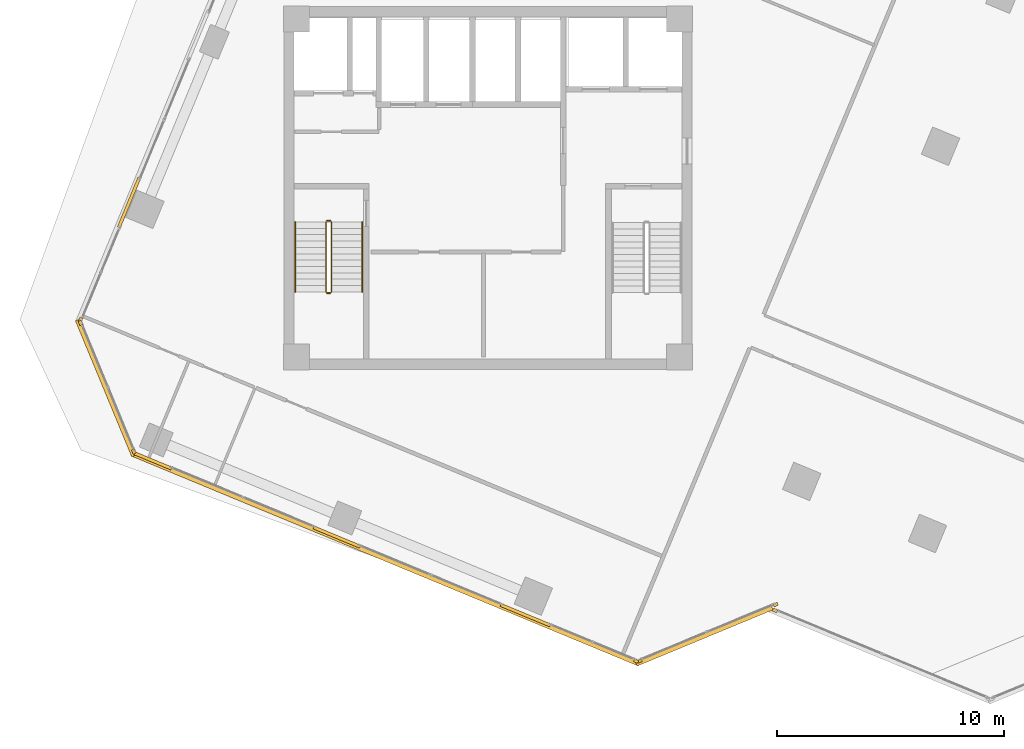
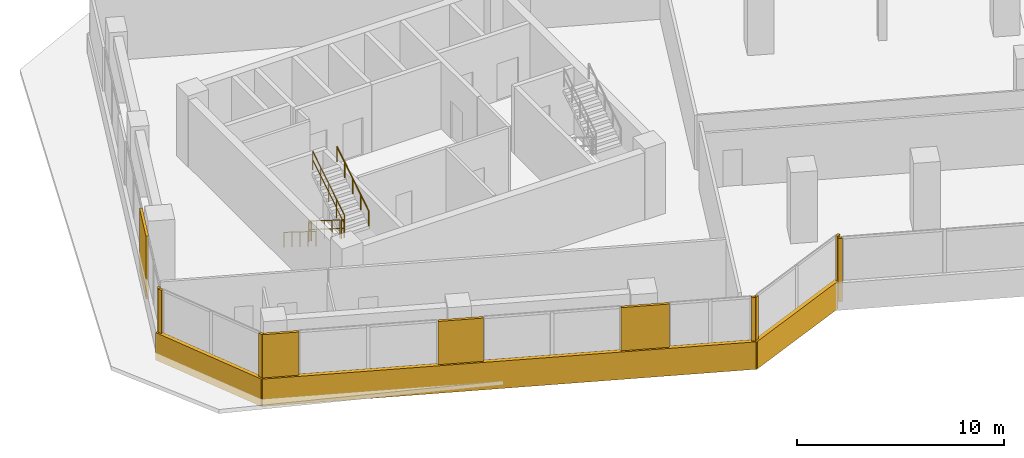
# One storey, part 21 of 24: 14 coverings, 6 railings.
"""IFC4 building model written with IfcOpenShell, lengths in metres."""

from ifc_helpers import new_model, si_unit, direction, frame, origin, origin_2d, place, context, subcontext, project, spatial, rectangle, circle, extrude, source, transform, mapped, material, layer, layer_set, type_object, element, save


model = new_model("IFC4")

# Units and contexts
model_context = context("Model", 3, precision=1e-05, world=origin(), true_north=direction((0.0, 1.0)))
body_context = subcontext(model_context, "Body", "Model", "MODEL_VIEW")
ifc_project = project(units=[si_unit("LENGTHUNIT", "METRE"), si_unit("AREAUNIT", "SQUARE_METRE"), si_unit("VOLUMEUNIT", "CUBIC_METRE"), si_unit("PLANEANGLEUNIT", "RADIAN"), si_unit("MASSUNIT", "GRAM", prefix="KILO")], contexts=[model_context])

# Site, building, storey
site_placement = place(None, origin())
site = spatial("IfcSite", under=ifc_project, at=site_placement, CompositionType="ELEMENT")
building_placement = place(site_placement, origin())
building = spatial("IfcBuilding", under=site, at=building_placement, Name="Torre Montelarca", CompositionType="ELEMENT")
storey_placement = place(building_placement, frame((0.0, 0.0, 141.39990234375)))
storey = spatial("IfcBuildingStorey", under=building, at=storey_placement, Name="L31", CompositionType="ELEMENT", Elevation=141.39990234375)

# Railings
ifc_material_1 = material(Name="Powder-coated steel ASTM A500 Grade C", Category="steel")
railing_type_1 = type_object("IfcRailingType", Name="RL-GUARD-1100", PredefinedType="BALUSTRADE", material=ifc_material_1)
railing_1_placement = place(storey_placement, frame((10.85009765625, 30.5, 0.175048828125)))
element("IfcRailing", 1, at=railing_1_placement, inside=storey, type_object=railing_type_1, Name="L31 ST1 stair guard 1", PredefinedType="BALUSTRADE", context=body_context, shape_type="SweptSolid", body=[
    extrude(circle(Radius=0.02392578125, at=origin_2d()), frame((0.0, 0.0, 1.076171875), z_axis=(0.0, -0.847998304005, 0.529998940003), x_axis=(1.0, 0.0, 0.0)), (0.0, 0.0, 1.0), 3.632080078125),
    extrude(circle(Radius=0.02099609375, at=origin_2d()), frame((0.0, 0.0, 0.572021484375), z_axis=(0.0, -0.847998304005, 0.529998940003), x_axis=(1.0, 0.0, 0.0)), (0.0, 0.0, 1.0), 3.632080078125),
    extrude(circle(Radius=0.02099609375, at=origin_2d()), origin(), (0.0, 0.0, 1.0), 1.052001953125),
    extrude(circle(Radius=0.02099609375, at=origin_2d()), frame((0.0, -0.77001953125, 0.481201171875)), (0.0, 0.0, 1.0), 1.052001953125),
    extrude(circle(Radius=0.02099609375, at=origin_2d()), frame((0.0, -1.5400390625, 0.96240234375)), (0.0, 0.0, 1.0), 1.052001953125),
    extrude(circle(Radius=0.02099609375, at=origin_2d()), frame((0.0, -2.31005859375, 1.44384765625)), (0.0, 0.0, 1.0), 1.052001953125),
    extrude(circle(Radius=0.02099609375, at=origin_2d()), frame((0.0, -3.080078125, 1.925048828125)), (0.0, 0.0, 1.0), 1.052001953125),
])
railing_2_placement = place(storey_placement, frame((10.89990234375, 27.3701171875, 2.10009765625)))
element("IfcRailing", 2, at=railing_2_placement, inside=storey, type_object=railing_type_1, Name="L31 ST1 stair guard 2", PredefinedType="BALUSTRADE", context=body_context, shape_type="SweptSolid", body=[
    extrude(circle(Radius=0.02392578125, at=origin_2d()), frame((0.0, 0.0, 1.076171875), z_axis=(1.0, 0.0, 0.0), x_axis=(0.0, 1.0, 0.0)), (0.0, 0.0, 1.0), 0.150146484375),
    extrude(circle(Radius=0.02099609375, at=origin_2d()), frame((0.0, 0.0, 0.572021484375), z_axis=(1.0, 0.0, 0.0), x_axis=(0.0, 1.0, 0.0)), (0.0, 0.0, 1.0), 0.150146484375),
    extrude(circle(Radius=0.02099609375, at=origin_2d()), origin(), (0.0, 0.0, 1.0), 1.052001953125),
    extrude(circle(Radius=0.02099609375, at=origin_2d()), frame((0.150146484375, 0.0, 0.0)), (0.0, 0.0, 1.0), 1.052001953125),
])
railing_3_placement = place(storey_placement, frame((11.10009765625, 27.419921875, 2.275146484375)))
element("IfcRailing", 3, at=railing_3_placement, inside=storey, type_object=railing_type_1, Name="L31 ST1 stair guard 3", PredefinedType="BALUSTRADE", context=body_context, shape_type="SweptSolid", body=[
    extrude(circle(Radius=0.02392578125, at=origin_2d()), frame((0.0, 0.0, 1.076171875), z_axis=(0.0, 0.847998304005, 0.529998940003), x_axis=(-1.0, 0.0, 0.0)), (0.0, 0.0, 1.0), 3.632080078125),
    extrude(circle(Radius=0.02099609375, at=origin_2d()), frame((0.0, 0.0, 0.572021484375), z_axis=(0.0, 0.847998304005, 0.529998940003), x_axis=(-1.0, 0.0, 0.0)), (0.0, 0.0, 1.0), 3.632080078125),
    extrude(circle(Radius=0.02099609375, at=origin_2d()), origin(), (0.0, 0.0, 1.0), 1.052001953125),
    extrude(circle(Radius=0.02099609375, at=origin_2d()), frame((0.0, 0.77001953125, 0.481201171875)), (0.0, 0.0, 1.0), 1.052001953125),
    extrude(circle(Radius=0.02099609375, at=origin_2d()), frame((0.0, 1.5400390625, 0.96240234375)), (0.0, 0.0, 1.0), 1.052001953125),
    extrude(circle(Radius=0.02099609375, at=origin_2d()), frame((0.0, 2.31005859375, 1.44384765625)), (0.0, 0.0, 1.0), 1.052001953125),
    extrude(circle(Radius=0.02099609375, at=origin_2d()), frame((0.0, 3.080078125, 1.925048828125)), (0.0, 0.0, 1.0), 1.052001953125),
])
railing_4_placement = place(storey_placement, frame((10.89990234375, 30.550048828125, 0.0)))
element("IfcRailing", 4, at=railing_4_placement, inside=storey, type_object=railing_type_1, Name="L31 ST1 stair guard 4", PredefinedType="BALUSTRADE", context=body_context, shape_type="SweptSolid", body=[
    extrude(circle(Radius=0.02392578125, at=origin_2d()), frame((0.0, 0.0, 1.076171875), z_axis=(1.0, 0.0, 0.0), x_axis=(0.0, 1.0, 0.0)), (0.0, 0.0, 1.0), 0.150146484375),
    extrude(circle(Radius=0.02099609375, at=origin_2d()), frame((0.0, 0.0, 0.572021484375), z_axis=(1.0, 0.0, 0.0), x_axis=(0.0, 1.0, 0.0)), (0.0, 0.0, 1.0), 0.150146484375),
    extrude(circle(Radius=0.02099609375, at=origin_2d()), origin(), (0.0, 0.0, 1.0), 1.052001953125),
    extrude(circle(Radius=0.02099609375, at=origin_2d()), frame((0.150146484375, 0.0, 0.0)), (0.0, 0.0, 1.0), 1.052001953125),
])
ifc_material_2 = material(Name="Brushed stainless steel AISI 316", Category="steel")
railing_type_2 = type_object("IfcRailingType", Name="RL-HANDRAIL-900", PredefinedType="HANDRAIL", material=ifc_material_2)
railing_5_placement = place(storey_placement, frame((9.5, 30.5, 0.175048828125)))
element("IfcRailing", 5, at=railing_5_placement, inside=storey, type_object=railing_type_2, Name="L31 ST1 stair handrail 1", PredefinedType="HANDRAIL", context=body_context, shape_type="SweptSolid", body=[
    extrude(circle(Radius=0.02392578125, at=origin_2d()), frame((0.0, 0.0, 0.8759765625), z_axis=(0.0, -0.847998304005, 0.529998940003), x_axis=(1.0, 0.0, 0.0)), (0.0, 0.0, 1.0), 3.632080078125),
    extrude(circle(Radius=0.02099609375, at=origin_2d()), origin(), (0.0, 0.0, 1.0), 0.851806640625),
    extrude(circle(Radius=0.02099609375, at=origin_2d()), frame((0.0, -0.77001953125, 0.481201171875)), (0.0, 0.0, 1.0), 0.851806640625),
    extrude(circle(Radius=0.02099609375, at=origin_2d()), frame((0.0, -1.5400390625, 0.96240234375)), (0.0, 0.0, 1.0), 0.851806640625),
    extrude(circle(Radius=0.02099609375, at=origin_2d()), frame((0.0, -2.31005859375, 1.44384765625)), (0.0, 0.0, 1.0), 0.851806640625),
    extrude(circle(Radius=0.02099609375, at=origin_2d()), frame((0.0, -3.080078125, 1.925048828125)), (0.0, 0.0, 1.0), 0.851806640625),
])
railing_6_placement = place(storey_placement, frame((12.449951171875, 27.419921875, 2.275146484375)))
element("IfcRailing", 6, at=railing_6_placement, inside=storey, type_object=railing_type_2, Name="L31 ST1 stair handrail 2", PredefinedType="HANDRAIL", context=body_context, shape_type="SweptSolid", body=[
    extrude(circle(Radius=0.02392578125, at=origin_2d()), frame((0.0, 0.0, 0.8759765625), z_axis=(0.0, 0.847998304005, 0.529998940003), x_axis=(-1.0, 0.0, 0.0)), (0.0, 0.0, 1.0), 3.632080078125),
    extrude(circle(Radius=0.02099609375, at=origin_2d()), origin(), (0.0, 0.0, 1.0), 0.851806640625),
    extrude(circle(Radius=0.02099609375, at=origin_2d()), frame((0.0, 0.77001953125, 0.481201171875)), (0.0, 0.0, 1.0), 0.851806640625),
    extrude(circle(Radius=0.02099609375, at=origin_2d()), frame((0.0, 1.5400390625, 0.96240234375)), (0.0, 0.0, 1.0), 0.851806640625),
    extrude(circle(Radius=0.02099609375, at=origin_2d()), frame((0.0, 2.31005859375, 1.44384765625)), (0.0, 0.0, 1.0), 0.851806640625),
    extrude(circle(Radius=0.02099609375, at=origin_2d()), frame((0.0, 3.080078125, 1.925048828125)), (0.0, 0.0, 1.0), 0.851806640625),
])

# Coverings
ifc_material_3 = material(Name="Bush-hammered warm white precast concrete C45/55", Category="concrete")
ifc_layer = layer(ifc_material_3, 0.139892578125, Name="Bush-hammered warm white precast concrete C45/55", Category="concrete")
ifc_layer_set = layer_set([ifc_layer], Name="Bush-hammered warm white precast concrete C45/55")
covering_type = type_object("IfcCoveringType", Name="COV-TRAY-CLAD", PredefinedType="CLADDING", material=ifc_layer_set)
shared_shape_1 = source(origin(), body_context, "Body", "SweptSolid", [
    extrude(rectangle(XDim=24.219970703125, YDim=0.219970703125, at=origin_2d()), origin(), (0.0, 0.0, 1.0), 1.6201171875),
])
covering_1_placement = place(storey_placement, frame((13.484130859375, 15.6533203125, -0.449951171875), z_axis=(0.0, 0.0, 1.0), x_axis=(0.923878196688, -0.382686657311, 0.0)))
element("IfcCovering", 7, at=covering_1_placement, inside=storey, type_object=covering_type, Name="L31 Architectural White Spandrel Tray Band TRYBOT-01", PredefinedType="CLADDING", context=body_context, shape_type="MappedRepresentation", body=[
    mapped(shared_shape_1, transform((0.0, 0.0, 0.0), scale=1.0)),
])
shared_shape_2 = source(origin(), body_context, "Body", "SweptSolid", [
    extrude(rectangle(XDim=6.48388671875, YDim=0.219970703125, at=origin_2d()), origin(), (0.0, 0.0, 1.0), 1.6201171875),
])
for number, where, z_axis, x_axis, name in (
    (8, (27.53369140625, 12.259521484375, -0.449951171875), (0.0, 0.0, 1.0), (0.923880200418, 0.382681819891, 0.0), "L31 Architectural White Spandrel Tray Band TRYBOT-02"),
    (9, (1.14990234375, 23.18798828125, -0.449951171875), (0.0, 0.0, 1.0), (0.382688269782, -0.923877528773, 0.0), "L31 Architectural White Spandrel Tray Band TRYBOT-11"),
):
    element("IfcCovering", number, at=place(storey_placement, frame(where, z_axis=z_axis, x_axis=x_axis)), inside=storey, type_object=covering_type, Name=name, PredefinedType="CLADDING", context=body_context, shape_type="MappedRepresentation", body=[
        mapped(shared_shape_2, transform((0.0, 0.0, 0.0), scale=1.0)),
    ])
shared_shape_3 = source(origin(), body_context, "Body", "SweptSolid", [
    extrude(rectangle(XDim=0.199951171875, YDim=0.139892578125, at=origin_2d()), origin(), (0.0, 0.0, 1.0), 3.719970703125),
])
for number, where, z_axis, x_axis, name in (
    (10, (24.53271484375, 11.1416015625, 0.0), (0.0, 0.0, 1.0), (0.923878196688, -0.382686657311, 0.0), "L31 Architectural Column Pier Cladding E01-4"),
    (11, (24.677978515625, 11.1416015625, 0.0), (0.0, 0.0, 1.0), (0.923882204123, 0.38267698246, 0.0), "L31 Architectural Column Pier Cladding E02-1"),
    (12, (30.683349609375, 13.62890625, 0.0), (0.0, 0.0, 1.0), (0.923882204123, 0.38267698246, 0.0), "L31 Architectural Column Pier Cladding E02-2"),
    (13, (30.65869140625, 13.36669921875, 0.0), (0.0, 0.0, 1.0), (0.923882872019, -0.382675369981, 0.0), "L31 Architectural Column Pier Cladding E04-1"),
    (14, (0.031982421875, 26.18896484375, 0.0), (0.0, 0.0, 1.0), (-0.382680207415, -0.923880868323, 0.0), "L31 Architectural Column Pier Cladding E10-5"),
    (15, (0.031982421875, 26.043701171875, 0.0), (0.0, 0.0, 1.0), (0.382688269782, -0.923877528773, 0.0), "L31 Architectural Column Pier Cladding E11-1"),
    (16, (2.37890625, 20.37841796875, 0.0), (0.0, 0.0, 1.0), (0.382688269782, -0.923877528773, 0.0), "L31 Architectural Column Pier Cladding E11-2"),
):
    element("IfcCovering", number, at=place(storey_placement, frame(where, z_axis=z_axis, x_axis=x_axis)), inside=storey, type_object=covering_type, Name=name, PredefinedType="CLADDING", context=body_context, shape_type="MappedRepresentation", body=[
        mapped(shared_shape_3, transform((0.0, 0.0, 0.0), scale=1.0)),
    ])
shared_shape_4 = source(origin(), body_context, "Body", "SweptSolid", [
    extrude(rectangle(XDim=2.360107421875, YDim=0.139892578125, at=origin_2d()), origin(), (0.0, 0.0, 1.0), 3.719970703125),
])
for number, where, z_axis, x_axis, name in (
    (17, (19.65087890625, 13.163818359375, 0.0), (0.0, 0.0, 1.0), (0.923878196688, -0.382686657311, 0.0), "L31 Architectural Column Pier Cladding E01-3"),
    (18, (2.1689453125, 31.347900390625, 0.0), (0.0, 0.0, 1.0), (-0.382680207415, -0.923880868323, 0.0), "L31 Architectural Column Pier Cladding E10-4"),
):
    element("IfcCovering", number, at=place(storey_placement, frame(where, z_axis=z_axis, x_axis=x_axis)), inside=storey, type_object=covering_type, Name=name, PredefinedType="CLADDING", context=body_context, shape_type="MappedRepresentation", body=[
        mapped(shared_shape_4, transform((0.0, 0.0, 0.0), scale=1.0)),
    ])
shared_shape_5 = source(origin(), body_context, "Body", "SweptSolid", [
    extrude(rectangle(XDim=2.2099609375, YDim=0.139892578125, at=origin_2d()), origin(), (0.0, 0.0, 1.0), 3.719970703125),
])
covering_2_placement = place(storey_placement, frame((11.3359375, 16.60791015625, 0.0), z_axis=(0.0, 0.0, 1.0), x_axis=(0.923878196688, -0.382686657311, 0.0)))
element("IfcCovering", 19, at=covering_2_placement, inside=storey, type_object=covering_type, Name="L31 Architectural Column Pier Cladding E01-2", PredefinedType="CLADDING", context=body_context, shape_type="MappedRepresentation", body=[
    mapped(shared_shape_5, transform((0.0, 0.0, 0.0), scale=1.0)),
])
shared_shape_6 = source(origin(), body_context, "Body", "SweptSolid", [
    extrude(rectangle(XDim=1.7890625, YDim=0.139892578125, at=origin_2d()), origin(), (0.0, 0.0, 1.0), 3.719970703125),
])
covering_3_placement = place(storey_placement, frame((3.215576171875, 19.971435546875, 0.0), z_axis=(0.0, 0.0, 1.0), x_axis=(0.923878196688, -0.382686657311, 0.0)))
element("IfcCovering", 20, at=covering_3_placement, inside=storey, type_object=covering_type, Name="L31 Architectural Column Pier Cladding E01-1", PredefinedType="CLADDING", context=body_context, shape_type="MappedRepresentation", body=[
    mapped(shared_shape_6, transform((0.0, 0.0, 0.0), scale=1.0)),
])

save(model, "model.ifc")
